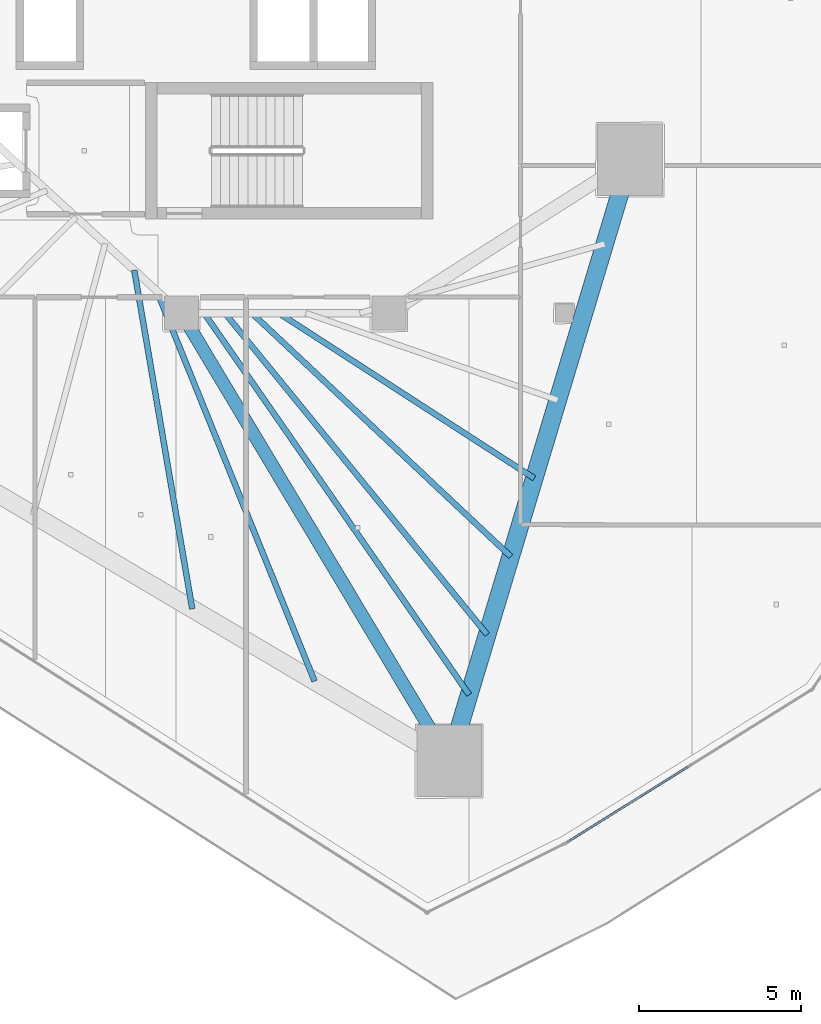
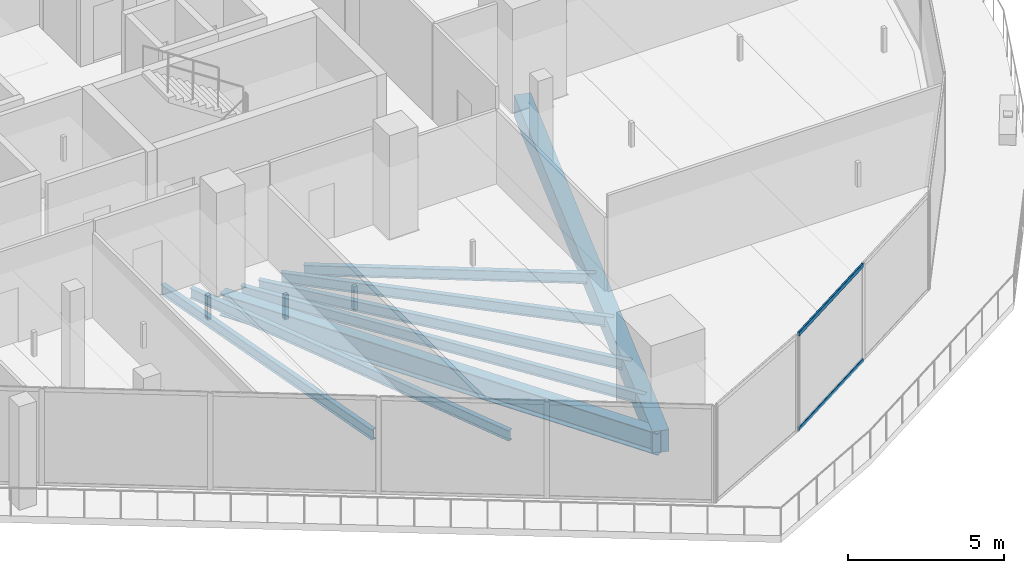
# One storey, part 8 of 38: 8 beams, 2 members, 1 element without a shape of its own.
"""IFC4 building model written with IfcOpenShell, lengths in metres."""

from ifc_helpers import new_model, si_unit, direction, frame, origin, origin_2d, place, context, subcontext, project, spatial, rectangle, hollow_rectangle, i_section, extrude, material, layer, layer_set, material_profile, profile_set, type_object, element, aggregate, save


model = new_model("IFC4")

# Units and contexts
model_context = context("Model", 3, precision=1e-05, world=origin(), true_north=direction((0.0, 1.0)))
body_context = subcontext(model_context, "Body", "Model", "MODEL_VIEW")
ifc_project = project(units=[si_unit("LENGTHUNIT", "METRE"), si_unit("AREAUNIT", "SQUARE_METRE"), si_unit("VOLUMEUNIT", "CUBIC_METRE"), si_unit("PLANEANGLEUNIT", "RADIAN"), si_unit("MASSUNIT", "GRAM", prefix="KILO")], contexts=[model_context])

# Site, building, storey
site_placement = place(None, origin())
site = spatial("IfcSite", under=ifc_project, at=site_placement, CompositionType="ELEMENT")
building_placement = place(site_placement, origin())
building = spatial("IfcBuilding", under=site, at=building_placement, Name="Qorvath Tower", CompositionType="ELEMENT")
storey_placement = place(building_placement, frame((0.0, 0.0, 146.25)))
storey = spatial("IfcBuildingStorey", under=building, at=storey_placement, Name="L33", CompositionType="ELEMENT", Elevation=146.25)

# Beams
ifc_material_1 = material(Name="Steel ASTM A992 Grade 50", Category="steel")
ifc_material_profile_1 = material_profile(ifc_material_1, i_section(OverallWidth=0.39892578125, OverallDepth=0.85498046875, WebThickness=0.018310546875, FlangeThickness=0.029296875, FilletRadius=0.02001953125, at=origin_2d()), Name="W33x201")
ifc_profile_set_1 = profile_set([ifc_material_profile_1], Name="Steel ASTM A992 Grade 50")
beam_type_1 = type_object("IfcBeamType", Name="BM-FG2", PredefinedType="BEAM", material=ifc_profile_set_1)
beam_1_placement = place(storey_placement, frame((-23.60009765625, -11.449951171875, -0.697509765625), z_axis=(0.513497213955, -0.85809126045, 0.0), x_axis=(0.85809126045, 0.513497213955, 0.0)))
element("IfcBeam", 1, at=beam_1_placement, inside=storey, type_object=beam_type_1, Name="Radial Floor Girder CC4-MC3 L33", PredefinedType="BEAM", context=body_context, shape_type="SweptSolid", body=[
    extrude(i_section(OverallWidth=0.39892578125, OverallDepth=0.85498046875, WebThickness=0.018310546875, FlangeThickness=0.029296875, FilletRadius=0.02001953125, at=origin_2d()), origin(), (0.0, 0.0, 1.0), 16.07763671875),
])
ifc_material_2 = material(Name="Steel ASTM A992 Grade 50", Category="steel")
ifc_material_profile_2 = material_profile(ifc_material_2, i_section(OverallWidth=0.177978515625, OverallDepth=0.406005859375, WebThickness=0.0078125, FlangeThickness=0.0126953125, FilletRadius=0.010986328125, at=origin_2d()), Name="W16x40")
ifc_profile_set_2 = profile_set([ifc_material_profile_2], Name="Steel ASTM A992 Grade 50")
beam_type_2 = type_object("IfcBeamType", Name="BM-FJ3", PredefinedType="JOIST", material=ifc_profile_set_2)
beam_2_placement = place(storey_placement, frame((-20.592041015625, -11.449951171875, -0.472900390625), z_axis=(0.839630966809, -0.543157288062, 0.0), x_axis=(0.543157288062, 0.839630966809, 0.0)))
element("IfcBeam", 2, at=beam_2_placement, inside=storey, type_object=beam_type_2, Name="Composite Floor Joist SE4 L33", PredefinedType="JOIST", context=body_context, shape_type="SweptSolid", body=[
    extrude(i_section(OverallWidth=0.177978515625, OverallDepth=0.406005859375, WebThickness=0.0078125, FlangeThickness=0.0126953125, FilletRadius=0.010986328125, at=origin_2d()), origin(), (0.0, 0.0, 1.0), 9.370361328125),
])
beam_3_placement = place(storey_placement, frame((-21.424072265625, -11.449951171875, -0.472900390625), z_axis=(0.728572459091, -0.684968737866, 0.0), x_axis=(0.684968737866, 0.728572459091, 0.0)))
element("IfcBeam", 3, at=beam_3_placement, inside=storey, type_object=beam_type_2, Name="Composite Floor Joist SE5 L33", PredefinedType="JOIST", context=body_context, shape_type="SweptSolid", body=[
    extrude(i_section(OverallWidth=0.177978515625, OverallDepth=0.406005859375, WebThickness=0.0078125, FlangeThickness=0.0126953125, FilletRadius=0.010986328125, at=origin_2d()), origin(), (0.0, 0.0, 1.0), 10.9462890625),
])
beam_4_placement = place(storey_placement, frame((-22.256103515625, -11.449951171875, -0.472900390625), z_axis=(0.632187975212, -0.774815051478, 0.0), x_axis=(0.774815051478, 0.632187975212, 0.0)))
element("IfcBeam", 4, at=beam_4_placement, inside=storey, type_object=beam_type_2, Name="Composite Floor Joist SE6 L33", PredefinedType="JOIST", context=body_context, shape_type="SweptSolid", body=[
    extrude(i_section(OverallWidth=0.177978515625, OverallDepth=0.406005859375, WebThickness=0.0078125, FlangeThickness=0.0126953125, FilletRadius=0.010986328125, at=origin_2d()), origin(), (0.0, 0.0, 1.0), 12.784912109375),
])
beam_5_placement = place(storey_placement, frame((-22.89599609375, -11.449951171875, -0.472900390625), z_axis=(0.570366725248, -0.821390162304, 0.0), x_axis=(0.821390162304, 0.570366725248, 0.0)))
element("IfcBeam", 5, at=beam_5_placement, inside=storey, type_object=beam_type_2, Name="Composite Floor Joist SE7 L33", PredefinedType="JOIST", context=body_context, shape_type="SweptSolid", body=[
    extrude(i_section(OverallWidth=0.177978515625, OverallDepth=0.406005859375, WebThickness=0.0078125, FlangeThickness=0.0126953125, FilletRadius=0.010986328125, at=origin_2d()), origin(), (0.0, 0.0, 1.0), 14.3154296875),
])
beam_6_placement = place(storey_placement, frame((-25.049072265625, -10.126953125, -0.472900390625), z_axis=(0.168745594245, -0.985659639238, 0.0), x_axis=(0.985659639238, 0.168745594245, 0.0)))
element("IfcBeam", 6, at=beam_6_placement, inside=storey, type_object=beam_type_2, Name="Composite Floor Joist SW6 L33", PredefinedType="JOIST", context=body_context, shape_type="SweptSolid", body=[
    extrude(i_section(OverallWidth=0.177978515625, OverallDepth=0.406005859375, WebThickness=0.0078125, FlangeThickness=0.0126953125, FilletRadius=0.010986328125, at=origin_2d()), origin(), (0.0, 0.0, 1.0), 10.589111328125),
])
beam_7_placement = place(storey_placement, frame((-24.35888671875, -10.757080078125, -0.472900390625), z_axis=(0.37487652097, -0.927074751045, 0.0), x_axis=(0.927074751045, 0.37487652097, 0.0)))
element("IfcBeam", 7, at=beam_7_placement, inside=storey, type_object=beam_type_2, Name="Composite Floor Joist SW7 L33", PredefinedType="JOIST", context=body_context, shape_type="SweptSolid", body=[
    extrude(i_section(OverallWidth=0.177978515625, OverallDepth=0.406005859375, WebThickness=0.0078125, FlangeThickness=0.0126953125, FilletRadius=0.010986328125, at=origin_2d()), origin(), (0.0, 0.0, 1.0), 12.9833984375),
])
ifc_material_3 = material(Name="Concrete C50/60", Category="concrete")
ifc_material_profile_3 = material_profile(ifc_material_3, rectangle(XDim=0.550048828125, YDim=0.85009765625, at=origin_2d()), Name="RCB 850x550")
ifc_profile_set_3 = profile_set([ifc_material_profile_3], Name="Concrete C50/60")
beam_type_3 = type_object("IfcBeamType", Name="BM-RCB2", PredefinedType="SPANDREL", material=ifc_profile_set_3)
beam_8_placement = place(storey_placement, frame((-15.34423828125, -25.24609375, -0.695068359375), z_axis=(0.288133952099, 0.957590113591, 0.0), x_axis=(-0.957590113591, 0.288133952099, 0.0)))
element("IfcBeam", 8, at=beam_8_placement, inside=storey, type_object=beam_type_3, Name="Perimeter Loggia Frame Beam MC3-MC4 L33", PredefinedType="SPANDREL", context=body_context, shape_type="SweptSolid", body=[
    extrude(rectangle(XDim=0.550048828125, YDim=0.85009765625, at=origin_2d()), origin(), (0.0, 0.0, 1.0), 19.344970703125),
])

# Curtain wall, members
ifc_material_4 = material(Name="Anodised aluminium and triple low-E glass", Category="aluminium")
ifc_layer = layer(ifc_material_4, 0.179931640625)
ifc_layer_set = layer_set([ifc_layer], Name="CW-SYS-3")
curtain_wall_type = type_object("IfcCurtainWallType", Name="CW-SYS-3", PredefinedType="NOTDEFINED", material=ifc_layer_set)
curtain_wall_placement = place(storey_placement, origin())
curtain_wall = element("IfcCurtainWall", 9, at=curtain_wall_placement, inside=storey, type_object=curtain_wall_type, Name="Curtain Wall CW-3 CW-T-L33-4.1", PredefinedType="NOTDEFINED")
ifc_material_5 = material(Name="Anodised aluminium 6063-T6", Category="aluminium")
ifc_material_profile_4 = material_profile(ifc_material_5, hollow_rectangle(XDim=0.06494140625, YDim=0.159912109375, WallThickness=0.00341796875, InnerFilletRadius=0.00341796875, OuterFilletRadius=0.007080078125, at=origin_2d()), Name="CWT 160x65")
ifc_profile_set_4 = profile_set([ifc_material_profile_4], Name="Anodised aluminium 6063-T6")
member_type = type_object("IfcMemberType", Name="CWT-160", PredefinedType="USERDEFINED", material=ifc_profile_set_4)
member_1_placement = place(storey_placement, frame((-11.69873046875, -27.745361328125, 0.032470703125), z_axis=(0.848352128257, 0.529432400294, 0.0), x_axis=(-0.529432400294, 0.848352128257, 0.0)))
member_1 = element("IfcMember", 10, at=member_1_placement, type_object=member_type, Name="CW-3 transom 1.1", ObjectType="TRANSOM", PredefinedType="USERDEFINED", context=body_context, shape_type="SweptSolid", body=[
    extrude(hollow_rectangle(XDim=0.06494140625, YDim=0.159912109375, WallThickness=0.00341796875, InnerFilletRadius=0.00341796875, OuterFilletRadius=0.007080078125, at=origin_2d()), origin(), (0.0, 0.0, 1.0), 4.3779296875),
])
member_2_placement = place(storey_placement, frame((-11.69873046875, -27.745361328125, 3.74755859375), z_axis=(0.848352128257, 0.529432400294, 0.0), x_axis=(-0.529432400294, 0.848352128257, 0.0)))
member_2 = element("IfcMember", 11, at=member_2_placement, type_object=member_type, Name="CW-3 transom 1.2", ObjectType="TRANSOM", PredefinedType="USERDEFINED", context=body_context, shape_type="SweptSolid", body=[
    extrude(hollow_rectangle(XDim=0.06494140625, YDim=0.159912109375, WallThickness=0.00341796875, InnerFilletRadius=0.00341796875, OuterFilletRadius=0.007080078125, at=origin_2d()), origin(), (0.0, 0.0, 1.0), 4.3779296875),
])
aggregate(curtain_wall, [member_1, member_2])

save(model, "model.ifc")
